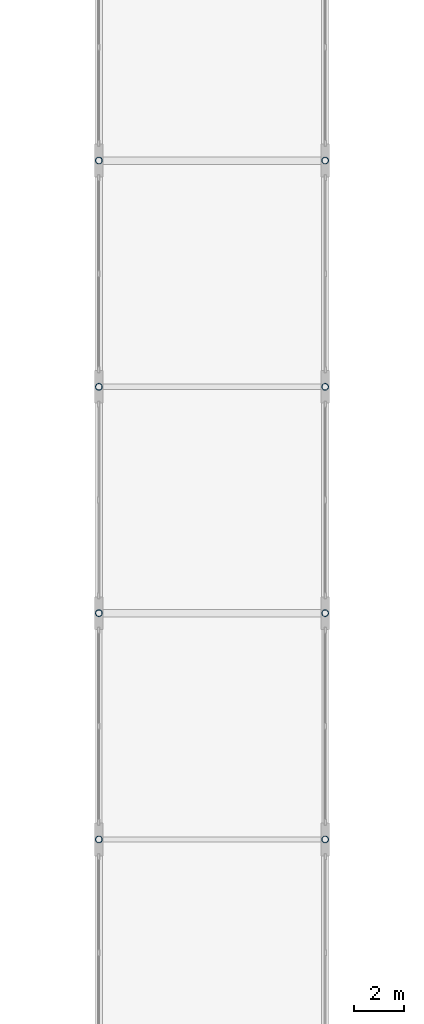
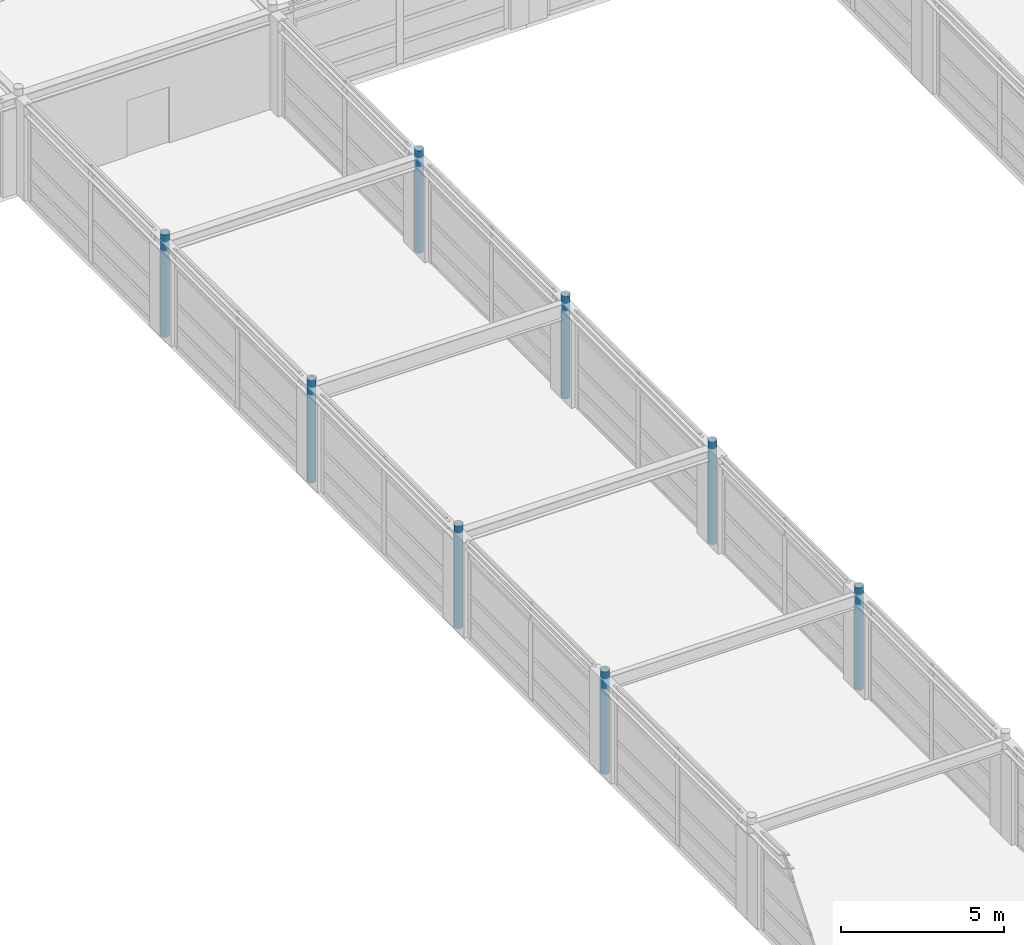
# One storey, part 6 of 79: 8 columns.
"""IFC4 building model written with IfcOpenShell, lengths in metres."""

from ifc_helpers import new_model, si_unit, direction, frame, origin, origin_2d, place, context, subcontext, project, spatial, hollow_circle, extrude, material, material_profile, profile_set, type_object, element, save


model = new_model("IFC4")

# Units and contexts
model_context = context("Model", 3, precision=1e-05, world=origin(), true_north=direction((0.0, 1.0)))
body_context = subcontext(model_context, "Body", "Model", "MODEL_VIEW")
ifc_project = project(units=[si_unit("LENGTHUNIT", "METRE"), si_unit("AREAUNIT", "SQUARE_METRE"), si_unit("VOLUMEUNIT", "CUBIC_METRE"), si_unit("PLANEANGLEUNIT", "RADIAN"), si_unit("MASSUNIT", "GRAM", prefix="KILO")], contexts=[model_context])

# Site, building, storey
site_placement = place(None, origin())
site = spatial("IfcSite", under=ifc_project, at=site_placement, CompositionType="ELEMENT")
building_placement = place(site_placement, origin())
building = spatial("IfcBuilding", under=site, at=building_placement, Name="Palais des Congres Ocreval", CompositionType="ELEMENT")
storey_placement = place(building_placement, frame((0.0, 0.0, 4.320068359375)))
storey = spatial("IfcBuildingStorey", under=building, at=storey_placement, Name="L01", CompositionType="ELEMENT", Elevation=4.320068359375)

# Columns
ifc_material = material(Name="Steel S355", Category="steel")
ifc_material_profile = material_profile(ifc_material, hollow_circle(Radius=0.136474609375, WallThickness=0.012451171875, at=origin_2d()), Name="CHS 273x12.5")
ifc_profile_set = profile_set([ifc_material_profile], Name="Steel S355")
column_type = type_object("IfcColumnType", Name="Column CHS 273x12.5 Steel S355", PredefinedType="COLUMN", material=ifc_profile_set)
for number, where, z_axis, x_axis, name in (
    (1, (72.0, 36.0, 0.0), (0.0, 0.0, 1.0), (1.0, 0.0, 0.0), "Column C17 L01"),
    (2, (72.0, 45.0, 0.0), (0.0, 0.0, 1.0), (1.0, 0.0, 0.0), "Column C17 L01"),
    (3, (72.0, 54.0, 0.0), (0.0, 0.0, 1.0), (1.0, 0.0, 0.0), "Column C17 L01"),
    (4, (72.0, 63.0, 0.0), (0.0, 0.0, 1.0), (1.0, 0.0, 0.0), "Column C17 L01"),
    (5, (81.0, 36.0, 0.0), (0.0, 0.0, 1.0), (1.0, 0.0, 0.0), "Column C17 L01"),
    (6, (81.0, 45.0, 0.0), (0.0, 0.0, 1.0), (1.0, 0.0, 0.0), "Column C17 L01"),
    (7, (81.0, 54.0, 0.0), (0.0, 0.0, 1.0), (1.0, 0.0, 0.0), "Column C17 L01"),
    (8, (81.0, 63.0, 0.0), (0.0, 0.0, 1.0), (1.0, 0.0, 0.0), "Column C17 L01"),
):
    element("IfcColumn", number, at=place(storey_placement, frame(where, z_axis=z_axis, x_axis=x_axis)), inside=storey, type_object=column_type, Name=name, PredefinedType="COLUMN", context=body_context, shape_type="SweptSolid", body=[
        extrude(hollow_circle(Radius=0.136474609375, WallThickness=0.012451171875, at=origin_2d()), origin(), (0.0, 0.0, 1.0), 3.83984375),
    ])

save(model, "model.ifc")
